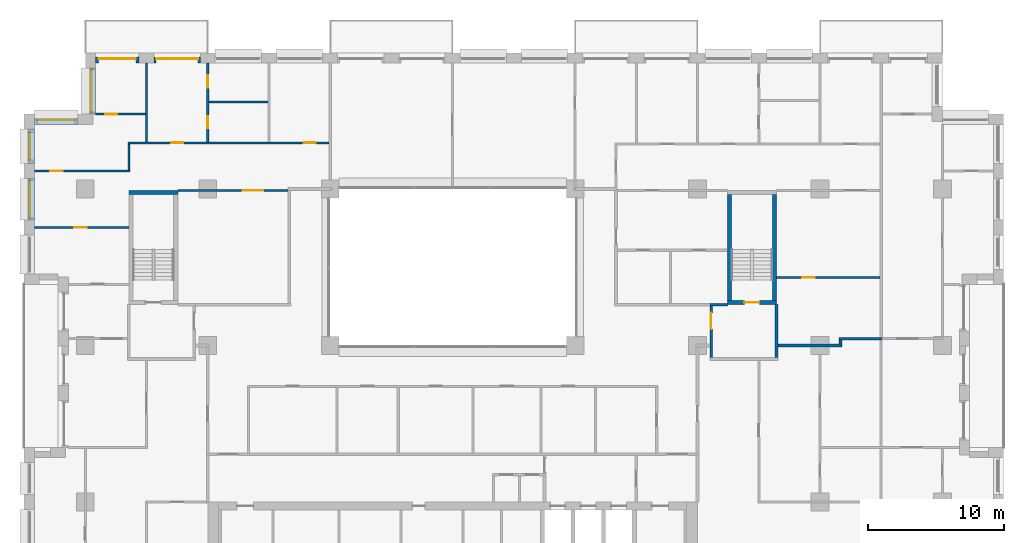
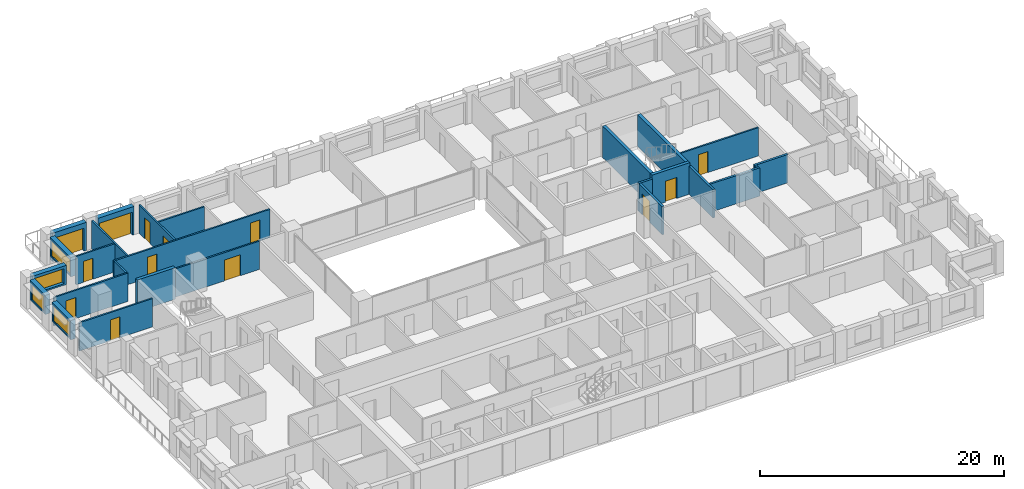
# One storey, part 12 of 16: 26 walls, 13 doors, 4 windows, 17 openings.
"""IFC4 building model written with IfcOpenShell, lengths in metres."""

from ifc_helpers import new_model, si_unit, direction, frame, frame_2d, origin, place, context, subcontext, project, spatial, rectangle, extrude, material, layer, layer_set, type_object, element, fill, save


model = new_model("IFC4")

# Units and contexts
model_context = context("Model", 3, precision=1e-05, world=origin(), true_north=direction((0.0, 1.0)))
body_context = subcontext(model_context, "Body", "Model", "MODEL_VIEW")
ifc_project = project(units=[si_unit("LENGTHUNIT", "METRE"), si_unit("AREAUNIT", "SQUARE_METRE"), si_unit("VOLUMEUNIT", "CUBIC_METRE"), si_unit("PLANEANGLEUNIT", "RADIAN"), si_unit("MASSUNIT", "GRAM", prefix="KILO")], contexts=[model_context])

# Site, building, storey
site_placement = place(None, origin())
site = spatial("IfcSite", under=ifc_project, at=site_placement, CompositionType="ELEMENT")
building_placement = place(site_placement, origin())
building = spatial("IfcBuilding", under=site, at=building_placement, Name="Brigalow Station Residences", CompositionType="ELEMENT")
storey_placement = place(building_placement, frame((0.0, 0.0, 89.85009765625)))
storey = spatial("IfcBuildingStorey", under=building, at=storey_placement, Name="L25", CompositionType="ELEMENT", Elevation=89.85009765625)

# Wall, opening, door
ifc_material_1 = material(Name="Clay brick masonry", Category="masonry")
ifc_layer_1 = layer(ifc_material_1, 0.449951171875)
ifc_layer_set_1 = layer_set([ifc_layer_1], Name="BRICK INFILL WALL 450")
wall_type_1 = type_object("IfcWallType", Name="BRICK INFILL WALL 450", PredefinedType="SOLIDWALL", material=ifc_layer_set_1)
wall_1_placement = place(storey_placement, frame((17.449951171875, 44.97509765625, 0.0), z_axis=(0.0, 0.0, 1.0), x_axis=(-1.0, 0.0, 0.0)))
wall_1 = element("IfcWall", 1, at=wall_1_placement, inside=storey, type_object=wall_type_1, Name="L25/ewall/W-L25-35", PredefinedType="SOLIDWALL", context=body_context, shape_type="SweptSolid", body=[
    extrude(rectangle(XDim=3.39990234375, YDim=0.449951171875, at=frame_2d((1.699951171875, 0.0))), origin(), (0.0, 0.0, 1.0), 2.829833984375),
])
opening_1_placement = place(wall_1_placement, frame((0.14990234375, 0.0, 0.0)))
opening_1 = element("IfcOpeningElement", 2, at=opening_1_placement, cuts=wall_1, Name="Opening D-B3100", PredefinedType="OPENING", context=body_context, shape_type="SweptSolid", body=[
    extrude(rectangle(XDim=3.10009765625, YDim=2.300048828125, at=frame_2d((1.550048828125, 1.14990234375))), frame((0.0, 0.23486328125, 0.0), z_axis=(0.0, -1.0, 0.0), x_axis=(1.0, 0.0, 0.0)), (0.0, 0.0, 1.0), 0.469970703125),
])
ifc_material_2 = material(Name="Anodised aluminium frame with double glazing", Category="aluminium")
door_type_1 = type_object("IfcDoorType", Name="BALCONY SLIDING DOOR 3100x2300", OperationType="SLIDING_TO_LEFT", PredefinedType="DOOR", material=ifc_material_2)
door_1_placement = place(opening_1_placement, origin())
door_1 = element("IfcDoor", 3, at=door_1_placement, inside=storey, type_object=door_type_1, Name="L25/balcony-door/W-L25-35", OperationType="SLIDING_TO_LEFT", OverallHeight=2.300048828125, OverallWidth=3.10009765625, PredefinedType="DOOR", context=body_context, shape_type="SweptSolid", body=[
    extrude(rectangle(XDim=3.10009765625, YDim=2.300048828125, at=frame_2d((1.550048828125, 1.14990234375))), frame((0.0, -0.06982421875, 0.0), z_axis=(0.0, -1.0, 0.0), x_axis=(1.0, 0.0, 0.0)), (0.0, 0.0, 1.0), 0.050048828125),
])
fill(opening_1, door_1)

wall_2_placement = place(storey_placement, frame((12.949951171875, 44.97509765625, 0.0), z_axis=(0.0, 0.0, 1.0), x_axis=(-1.0, 0.0, 0.0)))
wall_2 = element("IfcWall", 4, at=wall_2_placement, inside=storey, type_object=wall_type_1, Name="L25/ewall/W-L25-36", PredefinedType="SOLIDWALL", context=body_context, shape_type="SweptSolid", body=[
    extrude(rectangle(XDim=3.199951171875, YDim=0.449951171875, at=frame_2d((1.60009765625, 0.0))), origin(), (0.0, 0.0, 1.0), 2.829833984375),
])
opening_2_placement = place(wall_2_placement, frame((0.22509765625, 0.0, 0.0)))
opening_2 = element("IfcOpeningElement", 5, at=opening_2_placement, cuts=wall_2, Name="Opening D-B2750", PredefinedType="OPENING", context=body_context, shape_type="SweptSolid", body=[
    extrude(rectangle(XDim=2.75, YDim=2.300048828125, at=frame_2d((1.375, 1.14990234375))), frame((0.0, 0.23486328125, 0.0), z_axis=(0.0, -1.0, 0.0), x_axis=(1.0, 0.0, 0.0)), (0.0, 0.0, 1.0), 0.469970703125),
])
ifc_material_3 = material(Name="Anodised aluminium frame with double glazing", Category="aluminium")
door_type_2 = type_object("IfcDoorType", Name="BALCONY SLIDING DOOR 2750x2300", OperationType="SLIDING_TO_LEFT", PredefinedType="DOOR", material=ifc_material_3)
door_2_placement = place(opening_2_placement, origin())
door_2 = element("IfcDoor", 6, at=door_2_placement, inside=storey, type_object=door_type_2, Name="L25/balcony-door/W-L25-36", OperationType="SLIDING_TO_LEFT", OverallHeight=2.300048828125, OverallWidth=2.75, PredefinedType="DOOR", context=body_context, shape_type="SweptSolid", body=[
    extrude(rectangle(XDim=2.75, YDim=2.300048828125, at=frame_2d((1.375, 1.14990234375))), frame((0.0, -0.06982421875, 0.0), z_axis=(0.0, -1.0, 0.0), x_axis=(1.0, 0.0, 0.0)), (0.0, 0.0, 1.0), 0.050048828125),
])
fill(opening_2, door_2)

# Wall, opening, window
wall_3_placement = place(storey_placement, frame((9.52490234375, 44.39990234375, 0.89990234375), z_axis=(0.0, 0.0, 1.0), x_axis=(0.0, -1.0, 0.0)))
wall_3 = element("IfcWall", 7, at=wall_3_placement, inside=storey, type_object=wall_type_1, Name="L25/ewall/W-L25-37", PredefinedType="SOLIDWALL", context=body_context, shape_type="SweptSolid", body=[
    extrude(rectangle(XDim=3.39990234375, YDim=0.449951171875, at=frame_2d((1.699951171875, 0.0))), origin(), (0.0, 0.0, 1.0), 1.929931640625),
])
opening_3_placement = place(wall_3_placement, frame((0.14990234375, 0.0, 0.14990234375)))
opening_3 = element("IfcOpeningElement", 8, at=opening_3_placement, cuts=wall_3, Name="Opening WT-8", PredefinedType="OPENING", context=body_context, shape_type="SweptSolid", body=[
    extrude(rectangle(XDim=3.10009765625, YDim=1.5, at=frame_2d((1.550048828125, 0.75))), frame((0.0, 0.23486328125, 0.0), z_axis=(0.0, -1.0, 0.0), x_axis=(1.0, 0.0, 0.0)), (0.0, 0.0, 1.0), 0.469970703125),
])
ifc_material_4 = material(Name="Anodised aluminium frame with double glazing", Category="aluminium")
window_type_1 = type_object("IfcWindowType", Name="WINDOW 3100x1500", PartitioningType="SINGLE_PANEL", PredefinedType="WINDOW", material=ifc_material_4)
window_1_placement = place(opening_3_placement, origin())
window_1 = element("IfcWindow", 9, at=window_1_placement, inside=storey, type_object=window_type_1, Name="L25/window/W-L25-37", OverallHeight=1.5, OverallWidth=3.10009765625, PartitioningType="SINGLE_PANEL", PredefinedType="WINDOW", context=body_context, shape_type="SweptSolid", body=[
    extrude(rectangle(XDim=3.10009765625, YDim=1.5, at=frame_2d((1.550048828125, 0.75))), frame((0.0, -0.06494140625, 0.0), z_axis=(0.0, -1.0, 0.0), x_axis=(1.0, 0.0, 0.0)), (0.0, 0.0, 1.0), 0.06005859375),
])
fill(opening_3, window_1)

wall_4_placement = place(storey_placement, frame((8.449951171875, 40.47509765625, 0.89990234375), z_axis=(0.0, 0.0, 1.0), x_axis=(-1.0, 0.0, 0.0)))
wall_4 = element("IfcWall", 10, at=wall_4_placement, inside=storey, type_object=wall_type_1, Name="L25/ewall/W-L25-38", PredefinedType="SOLIDWALL", context=body_context, shape_type="SweptSolid", body=[
    extrude(rectangle(XDim=3.199951171875, YDim=0.449951171875, at=frame_2d((1.60009765625, 0.0))), origin(), (0.0, 0.0, 1.0), 1.929931640625),
])
opening_4_placement = place(wall_4_placement, frame((0.22509765625, 0.0, 0.14990234375)))
opening_4 = element("IfcOpeningElement", 11, at=opening_4_placement, cuts=wall_4, Name="Opening WT-3", PredefinedType="OPENING", context=body_context, shape_type="SweptSolid", body=[
    extrude(rectangle(XDim=2.75, YDim=1.5, at=frame_2d((1.375, 0.75))), frame((0.0, 0.23486328125, 0.0), z_axis=(0.0, -1.0, 0.0), x_axis=(1.0, 0.0, 0.0)), (0.0, 0.0, 1.0), 0.469970703125),
])
ifc_material_5 = material(Name="Anodised aluminium frame with double glazing", Category="aluminium")
window_type_2 = type_object("IfcWindowType", Name="WINDOW 2750x1500", PartitioningType="SINGLE_PANEL", PredefinedType="WINDOW", material=ifc_material_5)
window_2_placement = place(opening_4_placement, origin())
window_2 = element("IfcWindow", 12, at=window_2_placement, inside=storey, type_object=window_type_2, Name="L25/window/W-L25-38", OverallHeight=1.5, OverallWidth=2.75, PartitioningType="SINGLE_PANEL", PredefinedType="WINDOW", context=body_context, shape_type="SweptSolid", body=[
    extrude(rectangle(XDim=2.75, YDim=1.5, at=frame_2d((1.375, 0.75))), frame((0.0, -0.06494140625, 0.0), z_axis=(0.0, -1.0, 0.0), x_axis=(1.0, 0.0, 0.0)), (0.0, 0.0, 1.0), 0.06005859375),
])
fill(opening_4, window_2)

wall_5_placement = place(storey_placement, frame((5.02490234375, 39.89990234375, 0.89990234375), z_axis=(0.0, 0.0, 1.0), x_axis=(0.0, -1.0, 0.0)))
wall_5 = element("IfcWall", 13, at=wall_5_placement, inside=storey, type_object=wall_type_1, Name="L25/ewall/W-L25-39", PredefinedType="SOLIDWALL", context=body_context, shape_type="SweptSolid", body=[
    extrude(rectangle(XDim=2.516845703125, YDim=0.449951171875, at=frame_2d((1.25830078125, 0.0))), origin(), (0.0, 0.0, 1.0), 1.929931640625),
])
opening_5_placement = place(wall_5_placement, frame((0.258544921875, 0.0, 0.14990234375)))
opening_5 = element("IfcOpeningElement", 14, at=opening_5_placement, cuts=wall_5, Name="Opening WT-7", PredefinedType="OPENING", context=body_context, shape_type="SweptSolid", body=[
    extrude(rectangle(XDim=2.0, YDim=1.5, at=frame_2d((1.0, 0.75))), frame((0.0, 0.23486328125, 0.0), z_axis=(0.0, -1.0, 0.0), x_axis=(1.0, 0.0, 0.0)), (0.0, 0.0, 1.0), 0.469970703125),
])
ifc_material_6 = material(Name="Anodised aluminium frame with double glazing", Category="aluminium")
window_type_3 = type_object("IfcWindowType", Name="WINDOW 2000x1500", PartitioningType="SINGLE_PANEL", PredefinedType="WINDOW", material=ifc_material_6)
window_3_placement = place(opening_5_placement, origin())
window_3 = element("IfcWindow", 15, at=window_3_placement, inside=storey, type_object=window_type_3, Name="L25/window/W-L25-39", OverallHeight=1.5, OverallWidth=2.0, PartitioningType="SINGLE_PANEL", PredefinedType="WINDOW", context=body_context, shape_type="SweptSolid", body=[
    extrude(rectangle(XDim=2.0, YDim=1.5, at=frame_2d((1.0, 0.75))), frame((0.0, -0.06494140625, 0.0), z_axis=(0.0, -1.0, 0.0), x_axis=(1.0, 0.0, 0.0)), (0.0, 0.0, 1.0), 0.06005859375),
])
fill(opening_5, window_3)

wall_6_placement = place(storey_placement, frame((5.02490234375, 36.282958984375, 0.89990234375), z_axis=(0.0, 0.0, 1.0), x_axis=(0.0, -1.0, 0.0)))
wall_6 = element("IfcWall", 16, at=wall_6_placement, inside=storey, type_object=wall_type_1, Name="L25/ewall/W-L25-40", PredefinedType="SOLIDWALL", context=body_context, shape_type="SweptSolid", body=[
    extrude(rectangle(XDim=3.06591796875, YDim=0.449951171875, at=frame_2d((1.532958984375, 0.0))), origin(), (0.0, 0.0, 1.0), 1.929931640625),
])
opening_6_placement = place(wall_6_placement, frame((0.157958984375, 0.0, 0.14990234375)))
opening_6 = element("IfcOpeningElement", 17, at=opening_6_placement, cuts=wall_6, Name="Opening WT-3", PredefinedType="OPENING", context=body_context, shape_type="SweptSolid", body=[
    extrude(rectangle(XDim=2.75, YDim=1.5, at=frame_2d((1.375, 0.75))), frame((0.0, 0.23486328125, 0.0), z_axis=(0.0, -1.0, 0.0), x_axis=(1.0, 0.0, 0.0)), (0.0, 0.0, 1.0), 0.469970703125),
])
window_4_placement = place(opening_6_placement, origin())
window_4 = element("IfcWindow", 18, at=window_4_placement, inside=storey, type_object=window_type_2, Name="L25/window/W-L25-40", OverallHeight=1.5, OverallWidth=2.75, PartitioningType="SINGLE_PANEL", PredefinedType="WINDOW", context=body_context, shape_type="SweptSolid", body=[
    extrude(rectangle(XDim=2.75, YDim=1.5, at=frame_2d((1.375, 0.75))), frame((0.0, -0.06494140625, 0.0), z_axis=(0.0, -1.0, 0.0), x_axis=(1.0, 0.0, 0.0)), (0.0, 0.0, 1.0), 0.06005859375),
])
fill(opening_6, window_4)

# Wall
ifc_material_7 = material(Name="Concrete C65", Category="concrete")
ifc_layer_2 = layer(ifc_material_7, 0.300048828125)
ifc_layer_set_2 = layer_set([ifc_layer_2], Name="CORE SHEAR WALL 300 C65")
wall_type_2 = type_object("IfcWallType", Name="CORE SHEAR WALL 300 C65", PredefinedType="SHEAR", material=ifc_layer_set_2)
wall_7_placement = place(storey_placement, frame((12.199951171875, 35.25, 0.0), z_axis=(0.0, 0.0, 1.0), x_axis=(1.0, 0.0, 0.0)))
element("IfcWall", 19, at=wall_7_placement, inside=storey, type_object=wall_type_2, Name="CORE WALL ST-S1-N L25", PredefinedType="SHEAR", context=body_context, shape_type="SweptSolid", body=[
    extrude(rectangle(XDim=3.60009765625, YDim=0.300048828125, at=frame_2d((1.800048828125, 0.0))), origin(), (0.0, 0.0, 1.0), 3.14990234375),
])

# Wall, opening, door
wall_8_placement = place(storey_placement, frame((56.199951171875, 27.14990234375, 0.0), z_axis=(0.0, 0.0, 1.0), x_axis=(1.0, 0.0, 0.0)))
wall_8 = element("IfcWall", 20, at=wall_8_placement, inside=storey, type_object=wall_type_2, Name="CORE WALL ST-S3-S L25", PredefinedType="SHEAR", context=body_context, shape_type="SweptSolid", body=[
    extrude(rectangle(XDim=3.60009765625, YDim=0.300048828125, at=frame_2d((1.800048828125, 0.0))), origin(), (0.0, 0.0, 1.0), 3.14990234375),
])
opening_7_placement = place(wall_8_placement, frame((1.25, 0.0, 0.0)))
opening_7 = element("IfcOpeningElement", 21, at=opening_7_placement, cuts=wall_8, Name="Opening D-5018", PredefinedType="OPENING", context=body_context, shape_type="SweptSolid", body=[
    extrude(rectangle(XDim=1.10009765625, YDim=2.10009765625, at=frame_2d((0.550048828125, 1.050048828125))), frame((0.0, 0.16015625, 0.0), z_axis=(0.0, -1.0, 0.0), x_axis=(1.0, 0.0, 0.0)), (0.0, 0.0, 1.0), 0.320068359375),
])
ifc_material_8 = material(Name="Steel fire door leaf in steel frame", Category="steel")
door_type_3 = type_object("IfcDoorType", Name="STAIR DOOR 1100 x 2100 FD60S", OperationType="SINGLE_SWING_LEFT", PredefinedType="DOOR", material=ifc_material_8)
door_3_placement = place(opening_7_placement, origin())
door_3 = element("IfcDoor", 22, at=door_3_placement, inside=storey, type_object=door_type_3, Name="D-5018", OperationType="SINGLE_SWING_LEFT", OverallHeight=2.10009765625, OverallWidth=1.10009765625, PredefinedType="DOOR", context=body_context, shape_type="SweptSolid", body=[
    extrude(rectangle(XDim=1.10009765625, YDim=2.10009765625, at=frame_2d((0.550048828125, 1.050048828125))), frame((0.0, 0.02490234375, 0.0), z_axis=(0.0, -1.0, 0.0), x_axis=(1.0, 0.0, 0.0)), (0.0, 0.0, 1.0), 0.050048828125),
])
fill(opening_7, door_3)

# Walls
for number, where, z_axis, x_axis, name in (
    (23, (56.35009765625, 27.300048828125, 0.0), (0.0, 0.0, 1.0), (0.0, 1.0, 0.0), "CORE WALL ST-S3-W L25"),
    (24, (59.64990234375, 27.300048828125, 0.0), (0.0, 0.0, 1.0), (0.0, 1.0, 0.0), "CORE WALL ST-S3-E L25"),
):
    element("IfcWall", number, at=place(storey_placement, frame(where, z_axis=z_axis, x_axis=x_axis)), inside=storey, type_object=wall_type_2, Name=name, PredefinedType="SHEAR", context=body_context, shape_type="SweptSolid", body=[
        extrude(rectangle(XDim=7.800048828125, YDim=0.300048828125, at=frame_2d((3.89990234375, 0.0))), origin(), (0.0, 0.0, 1.0), 3.14990234375),
    ])
ifc_material_9 = material(Name="Concrete blockwork", Category="masonry")
ifc_layer_3 = layer(ifc_material_9, 0.199951171875)
ifc_layer_set_3 = layer_set([ifc_layer_3], Name="FIRE RATED CORE PARTITION 200")
wall_type_3 = type_object("IfcWallType", Name="FIRE RATED CORE PARTITION 200", PredefinedType="PARTITIONING", material=ifc_layer_set_3)
wall_9_placement = place(storey_placement, frame((54.89990234375, 27.0, 0.0), z_axis=(0.0, 0.0, 1.0), x_axis=(1.0, 0.0, 0.0)))
element("IfcWall", 25, at=wall_9_placement, inside=storey, type_object=wall_type_3, Name="PW-5026", PredefinedType="PARTITIONING", context=body_context, shape_type="SweptSolid", body=[
    extrude(rectangle(XDim=1.300048828125, YDim=0.199951171875, at=frame_2d((0.64990234375, 0.0))), origin(), (0.0, 0.0, 1.0), 2.829833984375),
])

# Wall, opening, door
wall_10_placement = place(storey_placement, frame((55.0, 23.10009765625, 0.0), z_axis=(0.0, 0.0, 1.0), x_axis=(0.0, 1.0, 0.0)))
wall_10 = element("IfcWall", 26, at=wall_10_placement, inside=storey, type_object=wall_type_3, Name="PW-5036", PredefinedType="PARTITIONING", context=body_context, shape_type="SweptSolid", body=[
    extrude(rectangle(XDim=3.7998046875, YDim=0.199951171875, at=frame_2d((1.89990234375, 0.0))), origin(), (0.0, 0.0, 1.0), 2.829833984375),
])
opening_8_placement = place(wall_10_placement, frame((2.10009765625, 0.0, 0.0)))
opening_8 = element("IfcOpeningElement", 27, at=opening_8_placement, cuts=wall_10, Name="Opening D-5019", PredefinedType="OPENING", context=body_context, shape_type="SweptSolid", body=[
    extrude(rectangle(XDim=1.199951171875, YDim=2.10009765625, at=frame_2d((0.60009765625, 1.050048828125))), frame((0.0, 0.10986328125, 0.0), z_axis=(0.0, -1.0, 0.0), x_axis=(1.0, 0.0, 0.0)), (0.0, 0.0, 1.0), 0.219970703125),
])
ifc_material_10 = material(Name="Steel fire door leaf in steel frame", Category="steel")
door_type_4 = type_object("IfcDoorType", Name="STAIR LOBBY DOOR 1200 x 2100 FD60S", OperationType="SINGLE_SWING_LEFT", PredefinedType="DOOR", material=ifc_material_10)
door_4_placement = place(opening_8_placement, frame((1.199951171875, 0.0, 0.0), z_axis=(0.0, 0.0, 1.0), x_axis=(-1.0, 0.0, 0.0)))
door_4 = element("IfcDoor", 28, at=door_4_placement, inside=storey, type_object=door_type_4, Name="D-5019", OperationType="SINGLE_SWING_LEFT", OverallHeight=2.10009765625, OverallWidth=1.199951171875, PredefinedType="DOOR", context=body_context, shape_type="SweptSolid", body=[
    extrude(rectangle(XDim=1.199951171875, YDim=2.10009765625, at=frame_2d((0.60009765625, 1.050048828125))), frame((0.0, 0.02490234375, 0.0), z_axis=(0.0, -1.0, 0.0), x_axis=(1.0, 0.0, 0.0)), (0.0, 0.0, 1.0), 0.050048828125),
])
fill(opening_8, door_4)

# Wall
wall_11_placement = place(storey_placement, frame((59.800048828125, 23.10009765625, 0.0), z_axis=(0.0, 0.0, 1.0), x_axis=(0.0, 1.0, 0.0)))
element("IfcWall", 29, at=wall_11_placement, inside=storey, type_object=wall_type_3, Name="PW-5037", PredefinedType="PARTITIONING", context=body_context, shape_type="SweptSolid", body=[
    extrude(rectangle(XDim=3.89990234375, YDim=0.199951171875, at=frame_2d((1.949951171875, 0.0))), origin(), (0.0, 0.0, 1.0), 2.829833984375),
])

# Wall, opening, door
ifc_material_11 = material(Name="Plasterboard on steel stud partition", Category="steel")
ifc_layer_4 = layer(ifc_material_11, 0.14990234375)
ifc_layer_set_4 = layer_set([ifc_layer_4], Name="FLAT PARTITION 150")
wall_type_4 = type_object("IfcWallType", Name="FLAT PARTITION 150", PredefinedType="PARTITIONING", material=ifc_layer_set_4)
wall_12_placement = place(storey_placement, frame((5.25, 32.6669921875, 0.0), z_axis=(0.0, 0.0, 1.0), x_axis=(1.0, 0.0, 0.0)))
wall_12 = element("IfcWall", 30, at=wall_12_placement, inside=storey, type_object=wall_type_4, Name="PW-2A24", PredefinedType="PARTITIONING", context=body_context, shape_type="SweptSolid", body=[
    extrude(rectangle(XDim=6.949951171875, YDim=0.14990234375, at=frame_2d((3.47509765625, 0.0))), origin(), (0.0, 0.0, 1.0), 2.829833984375),
])
opening_9_placement = place(wall_12_placement, frame((2.949951171875, 0.0, 0.0)))
opening_9 = element("IfcOpeningElement", 31, at=opening_9_placement, cuts=wall_12, Name="Opening D-2A12", PredefinedType="OPENING", context=body_context, shape_type="SweptSolid", body=[
    extrude(rectangle(XDim=0.89990234375, YDim=2.10009765625, at=frame_2d((0.449951171875, 1.050048828125))), frame((0.0, 0.0849609375, 0.0), z_axis=(0.0, -1.0, 0.0), x_axis=(1.0, 0.0, 0.0)), (0.0, 0.0, 1.0), 0.169921875),
])
ifc_material_12 = material(Name="Solid-core timber door leaf", Category="wood")
door_type_5 = type_object("IfcDoorType", Name="INTERNAL DOOR 900 x 2100", OperationType="SINGLE_SWING_LEFT", PredefinedType="DOOR", material=ifc_material_12)
door_5_placement = place(opening_9_placement, frame((0.89990234375, 0.0, 0.0), z_axis=(0.0, 0.0, 1.0), x_axis=(-1.0, 0.0, 0.0)))
door_5 = element("IfcDoor", 32, at=door_5_placement, inside=storey, type_object=door_type_5, Name="D-2A12", OperationType="SINGLE_SWING_RIGHT", OverallHeight=2.10009765625, OverallWidth=0.89990234375, PredefinedType="DOOR", context=body_context, shape_type="SweptSolid", body=[
    extrude(rectangle(XDim=0.89990234375, YDim=2.10009765625, at=frame_2d((0.449951171875, 1.050048828125))), frame((0.0, 0.02490234375, 0.0), z_axis=(0.0, -1.0, 0.0), x_axis=(1.0, 0.0, 0.0)), (0.0, 0.0, 1.0), 0.050048828125),
])
fill(opening_9, door_5)

wall_13_placement = place(storey_placement, frame((5.25, 36.8330078125, 0.0), z_axis=(0.0, 0.0, 1.0), x_axis=(1.0, 0.0, 0.0)))
wall_13 = element("IfcWall", 33, at=wall_13_placement, inside=storey, type_object=wall_type_4, Name="PW-2A25", PredefinedType="PARTITIONING", context=body_context, shape_type="SweptSolid", body=[
    extrude(rectangle(XDim=7.02490234375, YDim=0.14990234375, at=frame_2d((3.512451171875, 0.0))), origin(), (0.0, 0.0, 1.0), 2.829833984375),
])
opening_10_placement = place(wall_13_placement, frame((1.175048828125, 0.0, 0.0)))
opening_10 = element("IfcOpeningElement", 34, at=opening_10_placement, cuts=wall_13, Name="Opening D-2A13", PredefinedType="OPENING", context=body_context, shape_type="SweptSolid", body=[
    extrude(rectangle(XDim=0.89990234375, YDim=2.10009765625, at=frame_2d((0.449951171875, 1.050048828125))), frame((0.0, 0.0849609375, 0.0), z_axis=(0.0, -1.0, 0.0), x_axis=(1.0, 0.0, 0.0)), (0.0, 0.0, 1.0), 0.169921875),
])
door_6_placement = place(opening_10_placement, origin())
door_6 = element("IfcDoor", 35, at=door_6_placement, inside=storey, type_object=door_type_5, Name="D-2A13", OperationType="SINGLE_SWING_LEFT", OverallHeight=2.10009765625, OverallWidth=0.89990234375, PredefinedType="DOOR", context=body_context, shape_type="SweptSolid", body=[
    extrude(rectangle(XDim=0.89990234375, YDim=2.10009765625, at=frame_2d((0.449951171875, 1.050048828125))), frame((0.0, 0.02490234375, 0.0), z_axis=(0.0, -1.0, 0.0), x_axis=(1.0, 0.0, 0.0)), (0.0, 0.0, 1.0), 0.050048828125),
])
fill(opening_10, door_6)

# Wall, openings, doors
wall_14_placement = place(storey_placement, frame((12.125, 38.89990234375, 0.0), z_axis=(0.0, 0.0, 1.0), x_axis=(1.0, 0.0, 0.0)))
wall_14 = element("IfcWall", 36, at=wall_14_placement, inside=storey, type_object=wall_type_4, Name="PW-2A27", PredefinedType="PARTITIONING", context=body_context, shape_type="SweptSolid", body=[
    extrude(rectangle(XDim=14.77490234375, YDim=0.14990234375, at=frame_2d((7.387451171875, 0.0))), origin(), (0.0, 0.0, 1.0), 2.829833984375),
])
opening_11_placement = place(wall_14_placement, frame((3.175048828125, 0.0, 0.0)))
opening_11 = element("IfcOpeningElement", 37, at=opening_11_placement, cuts=wall_14, Name="Opening D-2A15", PredefinedType="OPENING", context=body_context, shape_type="SweptSolid", body=[
    extrude(rectangle(XDim=0.89990234375, YDim=2.10009765625, at=frame_2d((0.449951171875, 1.050048828125))), frame((0.0, 0.0849609375, 0.0), z_axis=(0.0, -1.0, 0.0), x_axis=(1.0, 0.0, 0.0)), (0.0, 0.0, 1.0), 0.169921875),
])
opening_12_placement = place(wall_14_placement, frame((12.925048828125, 0.0, 0.0)))
opening_12 = element("IfcOpeningElement", 38, at=opening_12_placement, cuts=wall_14, Name="Opening D-2A19", PredefinedType="OPENING", context=body_context, shape_type="SweptSolid", body=[
    extrude(rectangle(XDim=0.89990234375, YDim=2.10009765625, at=frame_2d((0.449951171875, 1.050048828125))), frame((0.0, 0.0849609375, 0.0), z_axis=(0.0, -1.0, 0.0), x_axis=(1.0, 0.0, 0.0)), (0.0, 0.0, 1.0), 0.169921875),
])
door_7_placement = place(opening_11_placement, origin())
door_7 = element("IfcDoor", 39, at=door_7_placement, inside=storey, type_object=door_type_5, Name="D-2A15", OperationType="SINGLE_SWING_RIGHT", OverallHeight=2.10009765625, OverallWidth=0.89990234375, PredefinedType="DOOR", context=body_context, shape_type="SweptSolid", body=[
    extrude(rectangle(XDim=0.89990234375, YDim=2.10009765625, at=frame_2d((0.449951171875, 1.050048828125))), frame((0.0, 0.02490234375, 0.0), z_axis=(0.0, -1.0, 0.0), x_axis=(1.0, 0.0, 0.0)), (0.0, 0.0, 1.0), 0.050048828125),
])
fill(opening_11, door_7)
door_8_placement = place(opening_12_placement, origin())
door_8 = element("IfcDoor", 40, at=door_8_placement, inside=storey, type_object=door_type_5, Name="D-2A19", OperationType="SINGLE_SWING_RIGHT", OverallHeight=2.10009765625, OverallWidth=0.89990234375, PredefinedType="DOOR", context=body_context, shape_type="SweptSolid", body=[
    extrude(rectangle(XDim=0.89990234375, YDim=2.10009765625, at=frame_2d((0.449951171875, 1.050048828125))), frame((0.0, 0.02490234375, 0.0), z_axis=(0.0, -1.0, 0.0), x_axis=(1.0, 0.0, 0.0)), (0.0, 0.0, 1.0), 0.050048828125),
])
fill(opening_12, door_8)

# Wall, opening, door
wall_15_placement = place(storey_placement, frame((15.800048828125, 35.39990234375, 0.0), z_axis=(0.0, 0.0, 1.0), x_axis=(1.0, 0.0, 0.0)))
wall_15 = element("IfcWall", 41, at=wall_15_placement, inside=storey, type_object=wall_type_4, Name="PW-2A28", PredefinedType="PARTITIONING", context=body_context, shape_type="SweptSolid", body=[
    extrude(rectangle(XDim=8.099853515625, YDim=0.14990234375, at=frame_2d((4.0498046875, 0.0))), origin(), (0.0, 0.0, 1.0), 2.829833984375),
])
opening_13_placement = place(wall_15_placement, frame((4.77490234375, 0.0, 0.0)))
opening_13 = element("IfcOpeningElement", 42, at=opening_13_placement, cuts=wall_15, Name="Opening D-2A18", PredefinedType="OPENING", context=body_context, shape_type="SweptSolid", body=[
    extrude(rectangle(XDim=1.5, YDim=2.10009765625, at=frame_2d((0.75, 1.050048828125))), frame((0.0, 0.0849609375, 0.0), z_axis=(0.0, -1.0, 0.0), x_axis=(1.0, 0.0, 0.0)), (0.0, 0.0, 1.0), 0.169921875),
])
ifc_material_13 = material(Name="Solid-core timber door leaf", Category="wood")
door_type_6 = type_object("IfcDoorType", Name="INTERNAL DOUBLE DOOR 1500 x 2100", OperationType="DOUBLE_DOOR_SINGLE_SWING", PredefinedType="DOOR", material=ifc_material_13)
door_9_placement = place(opening_13_placement, frame((1.5, 0.0, 0.0), z_axis=(0.0, 0.0, 1.0), x_axis=(-1.0, 0.0, 0.0)))
door_9 = element("IfcDoor", 43, at=door_9_placement, inside=storey, type_object=door_type_6, Name="D-2A18", OperationType="DOUBLE_DOOR_SINGLE_SWING", OverallHeight=2.10009765625, OverallWidth=1.5, PredefinedType="DOOR", context=body_context, shape_type="SweptSolid", body=[
    extrude(rectangle(XDim=1.5, YDim=2.10009765625, at=frame_2d((0.75, 1.050048828125))), frame((0.0, 0.02490234375, 0.0), z_axis=(0.0, -1.0, 0.0), x_axis=(1.0, 0.0, 0.0)), (0.0, 0.0, 1.0), 0.050048828125),
])
fill(opening_13, door_9)

wall_16_placement = place(storey_placement, frame((9.75, 41.0, 0.0), z_axis=(0.0, 0.0, 1.0), x_axis=(1.0, 0.0, 0.0)))
wall_16 = element("IfcWall", 44, at=wall_16_placement, inside=storey, type_object=wall_type_4, Name="PW-2A31", PredefinedType="PARTITIONING", context=body_context, shape_type="SweptSolid", body=[
    extrude(rectangle(XDim=3.675048828125, YDim=0.14990234375, at=frame_2d((1.83740234375, 0.0))), origin(), (0.0, 0.0, 1.0), 2.829833984375),
])
opening_14_placement = place(wall_16_placement, frame((0.699951171875, 0.0, 0.0)))
opening_14 = element("IfcOpeningElement", 45, at=opening_14_placement, cuts=wall_16, Name="Opening D-2A14", PredefinedType="OPENING", context=body_context, shape_type="SweptSolid", body=[
    extrude(rectangle(XDim=0.89990234375, YDim=2.10009765625, at=frame_2d((0.449951171875, 1.050048828125))), frame((0.0, 0.0849609375, 0.0), z_axis=(0.0, -1.0, 0.0), x_axis=(1.0, 0.0, 0.0)), (0.0, 0.0, 1.0), 0.169921875),
])
door_10_placement = place(opening_14_placement, origin())
door_10 = element("IfcDoor", 46, at=door_10_placement, inside=storey, type_object=door_type_5, Name="D-2A14", OperationType="SINGLE_SWING_LEFT", OverallHeight=2.10009765625, OverallWidth=0.89990234375, PredefinedType="DOOR", context=body_context, shape_type="SweptSolid", body=[
    extrude(rectangle(XDim=0.89990234375, YDim=2.10009765625, at=frame_2d((0.449951171875, 1.050048828125))), frame((0.0, 0.02490234375, 0.0), z_axis=(0.0, -1.0, 0.0), x_axis=(1.0, 0.0, 0.0)), (0.0, 0.0, 1.0), 0.050048828125),
])
fill(opening_14, door_10)

# Wall
wall_17_placement = place(storey_placement, frame((18.074951171875, 41.89990234375, 0.0), z_axis=(0.0, 0.0, 1.0), x_axis=(1.0, 0.0, 0.0)))
element("IfcWall", 47, at=wall_17_placement, inside=storey, type_object=wall_type_4, Name="PW-2A33", PredefinedType="PARTITIONING", context=body_context, shape_type="SweptSolid", body=[
    extrude(rectangle(XDim=4.35009765625, YDim=0.14990234375, at=frame_2d((2.175048828125, 0.0))), origin(), (0.0, 0.0, 1.0), 2.829833984375),
])

# Wall, opening, door
wall_18_placement = place(storey_placement, frame((59.800048828125, 29.0, 0.0), z_axis=(0.0, 0.0, 1.0), x_axis=(1.0, 0.0, 0.0)))
wall_18 = element("IfcWall", 48, at=wall_18_placement, inside=storey, type_object=wall_type_4, Name="PW-2A37", PredefinedType="PARTITIONING", context=body_context, shape_type="SweptSolid", body=[
    extrude(rectangle(XDim=7.599853515625, YDim=0.14990234375, at=frame_2d((3.7998046875, 0.0))), origin(), (0.0, 0.0, 1.0), 2.829833984375),
])
opening_15_placement = place(wall_18_placement, frame((1.89990234375, 0.0, 0.0)))
opening_15 = element("IfcOpeningElement", 49, at=opening_15_placement, cuts=wall_18, Name="Opening D-2A33", PredefinedType="OPENING", context=body_context, shape_type="SweptSolid", body=[
    extrude(rectangle(XDim=0.89990234375, YDim=2.10009765625, at=frame_2d((0.449951171875, 1.050048828125))), frame((0.0, 0.0849609375, 0.0), z_axis=(0.0, -1.0, 0.0), x_axis=(1.0, 0.0, 0.0)), (0.0, 0.0, 1.0), 0.169921875),
])
door_11_placement = place(opening_15_placement, frame((0.89990234375, 0.0, 0.0), z_axis=(0.0, 0.0, 1.0), x_axis=(-1.0, 0.0, 0.0)))
door_11 = element("IfcDoor", 50, at=door_11_placement, inside=storey, type_object=door_type_5, Name="D-2A33", OperationType="SINGLE_SWING_RIGHT", OverallHeight=2.10009765625, OverallWidth=0.89990234375, PredefinedType="DOOR", context=body_context, shape_type="SweptSolid", body=[
    extrude(rectangle(XDim=0.89990234375, YDim=2.10009765625, at=frame_2d((0.449951171875, 1.050048828125))), frame((0.0, 0.02490234375, 0.0), z_axis=(0.0, -1.0, 0.0), x_axis=(1.0, 0.0, 0.0)), (0.0, 0.0, 1.0), 0.050048828125),
])
fill(opening_15, door_11)

# Wall, openings, doors
wall_19_placement = place(storey_placement, frame((18.0, 38.97509765625, 0.0), z_axis=(0.0, 0.0, 1.0), x_axis=(0.0, 1.0, 0.0)))
wall_19 = element("IfcWall", 51, at=wall_19_placement, inside=storey, type_object=wall_type_4, Name="PW-2A39", PredefinedType="PARTITIONING", context=body_context, shape_type="SweptSolid", body=[
    extrude(rectangle(XDim=5.77490234375, YDim=0.14990234375, at=frame_2d((2.887451171875, 0.0))), origin(), (0.0, 0.0, 1.0), 2.829833984375),
])
opening_16_placement = place(wall_19_placement, frame((0.97509765625, 0.0, 0.0)))
opening_16 = element("IfcOpeningElement", 52, at=opening_16_placement, cuts=wall_19, Name="Opening D-2A16", PredefinedType="OPENING", context=body_context, shape_type="SweptSolid", body=[
    extrude(rectangle(XDim=0.89990234375, YDim=2.10009765625, at=frame_2d((0.449951171875, 1.050048828125))), frame((0.0, 0.0849609375, 0.0), z_axis=(0.0, -1.0, 0.0), x_axis=(1.0, 0.0, 0.0)), (0.0, 0.0, 1.0), 0.169921875),
])
opening_17_placement = place(wall_19_placement, frame((3.97509765625, 0.0, 0.0)))
opening_17 = element("IfcOpeningElement", 53, at=opening_17_placement, cuts=wall_19, Name="Opening D-2A17", PredefinedType="OPENING", context=body_context, shape_type="SweptSolid", body=[
    extrude(rectangle(XDim=0.89990234375, YDim=2.10009765625, at=frame_2d((0.449951171875, 1.050048828125))), frame((0.0, 0.0849609375, 0.0), z_axis=(0.0, -1.0, 0.0), x_axis=(1.0, 0.0, 0.0)), (0.0, 0.0, 1.0), 0.169921875),
])
door_12_placement = place(opening_16_placement, frame((0.89990234375, 0.0, 0.0), z_axis=(0.0, 0.0, 1.0), x_axis=(-1.0, 0.0, 0.0)))
door_12 = element("IfcDoor", 54, at=door_12_placement, inside=storey, type_object=door_type_5, Name="D-2A16", OperationType="SINGLE_SWING_RIGHT", OverallHeight=2.10009765625, OverallWidth=0.89990234375, PredefinedType="DOOR", context=body_context, shape_type="SweptSolid", body=[
    extrude(rectangle(XDim=0.89990234375, YDim=2.10009765625, at=frame_2d((0.449951171875, 1.050048828125))), frame((0.0, 0.02490234375, 0.0), z_axis=(0.0, -1.0, 0.0), x_axis=(1.0, 0.0, 0.0)), (0.0, 0.0, 1.0), 0.050048828125),
])
fill(opening_16, door_12)
door_13_placement = place(opening_17_placement, frame((0.89990234375, 0.0, 0.0), z_axis=(0.0, 0.0, 1.0), x_axis=(-1.0, 0.0, 0.0)))
door_13 = element("IfcDoor", 55, at=door_13_placement, inside=storey, type_object=door_type_5, Name="D-2A17", OperationType="SINGLE_SWING_LEFT", OverallHeight=2.10009765625, OverallWidth=0.89990234375, PredefinedType="DOOR", context=body_context, shape_type="SweptSolid", body=[
    extrude(rectangle(XDim=0.89990234375, YDim=2.10009765625, at=frame_2d((0.449951171875, 1.050048828125))), frame((0.0, 0.02490234375, 0.0), z_axis=(0.0, -1.0, 0.0), x_axis=(1.0, 0.0, 0.0)), (0.0, 0.0, 1.0), 0.050048828125),
])
fill(opening_17, door_13)

# Walls
wall_20_placement = place(storey_placement, frame((13.5, 38.97509765625, 0.0), z_axis=(0.0, 0.0, 1.0), x_axis=(0.0, 1.0, 0.0)))
element("IfcWall", 56, at=wall_20_placement, inside=storey, type_object=wall_type_4, Name="PW-2A51", PredefinedType="PARTITIONING", context=body_context, shape_type="SweptSolid", body=[
    extrude(rectangle(XDim=5.77490234375, YDim=0.14990234375, at=frame_2d((2.887451171875, 0.0))), origin(), (0.0, 0.0, 1.0), 2.829833984375),
])
wall_21_placement = place(storey_placement, frame((12.199951171875, 36.907958984375, 0.0), z_axis=(0.0, 0.0, 1.0), x_axis=(0.0, 1.0, 0.0)))
element("IfcWall", 57, at=wall_21_placement, inside=storey, type_object=wall_type_4, Name="PW-2A53", PredefinedType="PARTITIONING", context=body_context, shape_type="SweptSolid", body=[
    extrude(rectangle(XDim=1.9169921875, YDim=0.14990234375, at=frame_2d((0.95849609375, 0.0))), origin(), (0.0, 0.0, 1.0), 2.829833984375),
])
ifc_material_14 = material(Name="Plasterboard on steel stud partition", Category="steel")
ifc_layer_5 = layer(ifc_material_14, 0.199951171875)
ifc_layer_set_5 = layer_set([ifc_layer_5], Name="PARTY AND CORRIDOR WALL 200")
wall_type_5 = type_object("IfcWallType", Name="PARTY AND CORRIDOR WALL 200", PredefinedType="PARTITIONING", material=ifc_layer_set_5)
wall_22_placement = place(storey_placement, frame((59.89990234375, 24.0, 0.0), z_axis=(0.0, 0.0, 1.0), x_axis=(1.0, 0.0, 0.0)))
element("IfcWall", 58, at=wall_22_placement, inside=storey, type_object=wall_type_5, Name="PW-2A04", PredefinedType="PARTITIONING", context=body_context, shape_type="SweptSolid", body=[
    extrude(rectangle(XDim=4.7001953125, YDim=0.199951171875, at=frame_2d((2.35009765625, 0.0))), origin(), (0.0, 0.0, 1.0), 2.829833984375),
])
wall_23_placement = place(storey_placement, frame((64.39990234375, 24.5, 0.0), z_axis=(0.0, 0.0, 1.0), x_axis=(1.0, 0.0, 0.0)))
element("IfcWall", 59, at=wall_23_placement, inside=storey, type_object=wall_type_5, Name="PW-2A21", PredefinedType="PARTITIONING", context=body_context, shape_type="SweptSolid", body=[
    extrude(rectangle(XDim=3.175048828125, YDim=0.199951171875, at=frame_2d((1.58740234375, 0.0))), origin(), (0.0, 0.0, 1.0), 2.829833984375),
])
wall_24_placement = place(storey_placement, frame((64.5, 24.10009765625, 0.0), z_axis=(0.0, 0.0, 1.0), x_axis=(0.0, 1.0, 0.0)))
element("IfcWall", 60, at=wall_24_placement, inside=storey, type_object=wall_type_5, Name="PW-2A69", PredefinedType="PARTITIONING", context=body_context, shape_type="SweptSolid", body=[
    extrude(rectangle(XDim=0.2998046875, YDim=0.199951171875, at=frame_2d((0.14990234375, 0.0))), origin(), (0.0, 0.0, 1.0), 2.829833984375),
])

save(model, "model.ifc")
